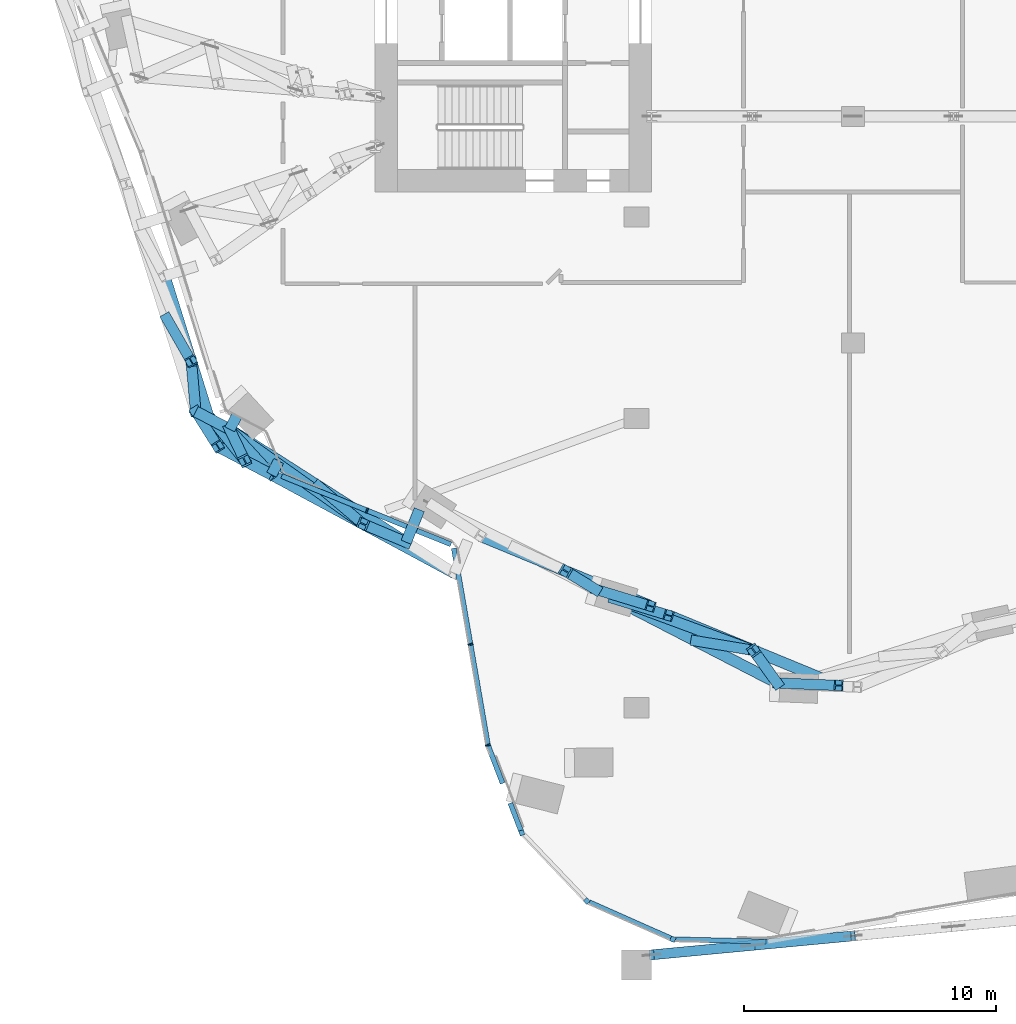
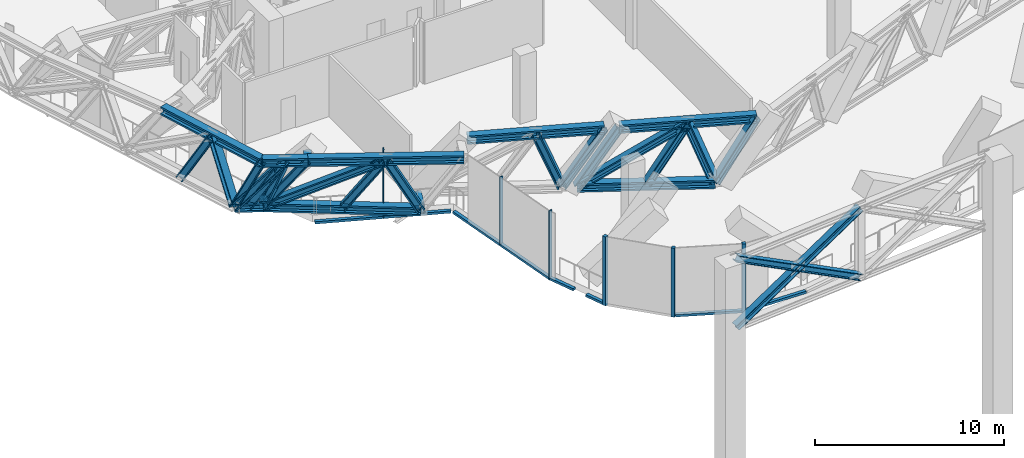
# One storey, part 2 of 31: 43 members, 6 elements without a shape of their own.
"""IFC4 building model written with IfcOpenShell, lengths in metres."""

from ifc_helpers import new_model, si_unit, direction, frame, origin, origin_2d, place, context, subcontext, project, spatial, rectangle, i_section, extrude, material, material_profile, profile_set, type_object, element, aggregate, save


model = new_model("IFC4")

# Units and contexts
model_context = context("Model", 3, precision=1e-05, world=origin(), true_north=direction((0.0, 1.0)))
body_context = subcontext(model_context, "Body", "Model", "MODEL_VIEW")
ifc_project = project(units=[si_unit("LENGTHUNIT", "METRE"), si_unit("AREAUNIT", "SQUARE_METRE"), si_unit("VOLUMEUNIT", "CUBIC_METRE"), si_unit("PLANEANGLEUNIT", "RADIAN"), si_unit("MASSUNIT", "GRAM", prefix="KILO")], contexts=[model_context])

# Site, building, storey
site_placement = place(None, origin())
site = spatial("IfcSite", under=ifc_project, at=site_placement, CompositionType="ELEMENT")
building_placement = place(site_placement, origin())
building = spatial("IfcBuilding", under=site, at=building_placement, Name="Orlundy Tower", CompositionType="ELEMENT")
storey_placement = place(building_placement, frame((0.0, 0.0, 271.0)))
storey = spatial("IfcBuildingStorey", under=building, at=storey_placement, Name="L72", CompositionType="ELEMENT", Elevation=271.0)

# Members
ifc_material_1 = material(Name="Steel ASTM A992 Gr 50", Category="steel")
ifc_material_profile_1 = material_profile(ifc_material_1, i_section(OverallWidth=0.4423828125, OverallDepth=0.531494140625, WebThickness=0.06591796875, FlangeThickness=0.105712890625, at=origin_2d()), Name="W14X605")
ifc_profile_set_1 = profile_set([ifc_material_profile_1], Name="Steel ASTM A992 Gr 50")
member_type_1 = type_object("IfcMemberType", Name="BELT TRUSS chord W14X605", PredefinedType="CHORD", material=ifc_profile_set_1)
member_1_placement = place(storey_placement, frame((-27.359619140625, -15.341796875, 3.71533203125), z_axis=(0.297975464674, -0.954573529097, 0.0), x_axis=(0.954573529097, 0.297975464674, 0.0)))
element("IfcMember", 1, at=member_1_placement, inside=storey, type_object=member_type_1, Name="Belt truss top chord BT-02A", PredefinedType="CHORD", context=body_context, shape_type="SweptSolid", body=[
    extrude(i_section(OverallWidth=0.4423828125, OverallDepth=0.531494140625, WebThickness=0.06591796875, FlangeThickness=0.105712890625, at=origin_2d()), origin(), (0.0, 0.0, 1.0), 7.10107421875),
])
member_2_placement = place(storey_placement, frame((-26.122314453125, -20.727783203125, 0.28466796875), z_axis=(0.885681073165, -0.464294127292, 0.0), x_axis=(0.464294127292, 0.885681073165, 0.0)))
element("IfcMember", 2, at=member_2_placement, inside=storey, type_object=member_type_1, Name="Belt truss bottom chord BT-02B", PredefinedType="CHORD", context=body_context, shape_type="SweptSolid", body=[
    extrude(i_section(OverallWidth=0.4423828125, OverallDepth=0.531494140625, WebThickness=0.06591796875, FlangeThickness=0.105712890625, at=origin_2d()), origin(), (0.0, 0.0, 1.0), 1.52490234375),
])
member_3_placement = place(storey_placement, frame((-25.24365234375, -22.120361328125, 3.71533203125), z_axis=(0.885690683786, -0.464275793743, 0.0), x_axis=(0.464275793743, 0.885690683786, 0.0)))
element("IfcMember", 3, at=member_3_placement, inside=storey, type_object=member_type_1, Name="Belt truss top chord BT-02B", PredefinedType="CHORD", context=body_context, shape_type="SweptSolid", body=[
    extrude(i_section(OverallWidth=0.4423828125, OverallDepth=0.531494140625, WebThickness=0.06591796875, FlangeThickness=0.105712890625, at=origin_2d()), origin(), (0.0, 0.0, 1.0), 2.409423828125),
])
member_4_placement = place(storey_placement, frame((-24.771728515625, -21.435791015625, 0.28466796875), z_axis=(0.842334241386, -0.538955495184, 0.0), x_axis=(0.538955495184, 0.842334241386, 0.0)))
element("IfcMember", 4, at=member_4_placement, inside=storey, type_object=member_type_1, Name="Belt truss bottom chord BT-03A", PredefinedType="CHORD", context=body_context, shape_type="SweptSolid", body=[
    extrude(i_section(OverallWidth=0.4423828125, OverallDepth=0.531494140625, WebThickness=0.06591796875, FlangeThickness=0.105712890625, at=origin_2d()), origin(), (0.0, 0.0, 1.0), 8.324951171875),
])
member_5_placement = place(storey_placement, frame((-23.109619140625, -23.239013671875, 3.71533203125), z_axis=(0.880386657526, -0.474256611183, 0.0), x_axis=(0.474256611183, 0.880386657526, 0.0)))
element("IfcMember", 5, at=member_5_placement, inside=storey, type_object=member_type_1, Name="Belt truss top chord BT-03A", PredefinedType="CHORD", context=body_context, shape_type="SweptSolid", body=[
    extrude(i_section(OverallWidth=0.4423828125, OverallDepth=0.531494140625, WebThickness=0.06591796875, FlangeThickness=0.105712890625, at=origin_2d()), origin(), (0.0, 0.0, 1.0), 8.263916015625),
])
member_6_placement = place(storey_placement, frame((-14.8037109375, -25.677001953125, 3.71533203125), z_axis=(0.924597156908, -0.380946318314, 0.0), x_axis=(0.380946318314, 0.924597156908, 0.0)))
element("IfcMember", 6, at=member_6_placement, inside=storey, type_object=member_type_1, Name="Belt truss top chord BT-04", PredefinedType="CHORD", context=body_context, shape_type="SweptSolid", body=[
    extrude(i_section(OverallWidth=0.4423828125, OverallDepth=0.531494140625, WebThickness=0.06591796875, FlangeThickness=0.105712890625, at=origin_2d()), origin(), (0.0, 0.0, 1.0), 7.310546875),
])
member_7_placement = place(storey_placement, frame((-9.5166015625, -28.1630859375, 0.28466796875), z_axis=(0.888589044231, -0.458704164439, 0.0), x_axis=(0.458704164439, 0.888589044231, 0.0)))
element("IfcMember", 7, at=member_7_placement, inside=storey, type_object=member_type_1, Name="Belt truss bottom chord BT-05", PredefinedType="CHORD", context=body_context, shape_type="SweptSolid", body=[
    extrude(i_section(OverallWidth=0.4423828125, OverallDepth=0.531494140625, WebThickness=0.06591796875, FlangeThickness=0.105712890625, at=origin_2d()), origin(), (0.0, 0.0, 1.0), 7.310791015625),
])
member_8_placement = place(storey_placement, frame((-7.3291015625, -28.831298828125, 3.71533203125), z_axis=(0.924604778569, -0.38092781921, 0.0), x_axis=(0.38092781921, 0.924604778569, 0.0)))
element("IfcMember", 8, at=member_8_placement, inside=storey, type_object=member_type_1, Name="Belt truss top chord BT-05", PredefinedType="CHORD", context=body_context, shape_type="SweptSolid", body=[
    extrude(i_section(OverallWidth=0.4423828125, OverallDepth=0.531494140625, WebThickness=0.06591796875, FlangeThickness=0.105712890625, at=origin_2d()), origin(), (0.0, 0.0, 1.0), 7.3115234375),
])
ifc_material_2 = material(Name="Steel ASTM A992 Gr 50", Category="steel")
ifc_material_profile_2 = material_profile(ifc_material_2, i_section(OverallWidth=0.42431640625, OverallDepth=0.47412109375, WebThickness=0.0478515625, FlangeThickness=0.0771484375, at=origin_2d()), Name="W14X426")
ifc_profile_set_2 = profile_set([ifc_material_profile_2], Name="Steel ASTM A992 Gr 50")
member_type_2 = type_object("IfcMemberType", Name="BELT TRUSS diagonal W14X426", PredefinedType="BRACE", material=ifc_profile_set_2)
member_9_placement = place(storey_placement, frame((-26.3017578125, -18.73095703125, 3.71533203125), z_axis=(0.045159641252, -0.502531572515, -0.863378610708), x_axis=(0.995986497257, 0.089503616027, 0.0)))
element("IfcMember", 9, at=member_9_placement, inside=storey, type_object=member_type_2, Name="Belt truss diagonal BT-02A-1", PredefinedType="BRACE", context=body_context, shape_type="SweptSolid", body=[
    extrude(i_section(OverallWidth=0.42431640625, OverallDepth=0.47412109375, WebThickness=0.0478515625, FlangeThickness=0.0771484375, at=origin_2d()), origin(), (0.0, 0.0, 1.0), 3.9736328125),
])
member_10_placement = place(storey_placement, frame((-26.122314453125, -20.727783203125, 0.28466796875), z_axis=(0.442164339321, -0.443551303999, 0.779585106165), x_axis=(0.708213189387, 0.705998639077, 0.0)))
element("IfcMember", 10, at=member_10_placement, inside=storey, type_object=member_type_2, Name="Belt truss diagonal BT-02B-0", PredefinedType="BRACE", context=body_context, shape_type="SweptSolid", body=[
    extrude(i_section(OverallWidth=0.42431640625, OverallDepth=0.47412109375, WebThickness=0.0478515625, FlangeThickness=0.0771484375, at=origin_2d()), origin(), (0.0, 0.0, 1.0), 4.400634765625),
])
member_11_placement = place(storey_placement, frame((-24.176513671875, -22.6796875, 3.71533203125), z_axis=(-0.160980537109, 0.336421590063, -0.927850085095), x_axis=(-0.902047314811, -0.431637164575, 0.0)))
element("IfcMember", 11, at=member_11_placement, inside=storey, type_object=member_type_2, Name="Belt truss diagonal BT-02B-1", PredefinedType="BRACE", context=body_context, shape_type="SweptSolid", body=[
    extrude(i_section(OverallWidth=0.42431640625, OverallDepth=0.47412109375, WebThickness=0.0478515625, FlangeThickness=0.0771484375, at=origin_2d()), origin(), (0.0, 0.0, 1.0), 3.697509765625),
])
member_12_placement = place(storey_placement, frame((-24.771728515625, -21.435791015625, 0.28466796875), z_axis=(0.721097909944, -0.511990145843, 0.466780349665), x_axis=(0.578929910254, 0.815377310828, 0.0)))
element("IfcMember", 12, at=member_12_placement, inside=storey, type_object=member_type_2, Name="Belt truss diagonal BT-03A-0", PredefinedType="BRACE", context=body_context, shape_type="SweptSolid", body=[
    extrude(i_section(OverallWidth=0.42431640625, OverallDepth=0.47412109375, WebThickness=0.0478515625, FlangeThickness=0.0771484375, at=origin_2d()), origin(), (0.0, 0.0, 1.0), 7.349609375),
])
member_13_placement = place(storey_placement, frame((-19.471923828125, -25.19873046875, 3.71533203125), z_axis=(0.438900515101, -0.185508200609, -0.879177482281), x_axis=(0.389318706976, 0.921103112794, 0.0)))
element("IfcMember", 13, at=member_13_placement, inside=storey, type_object=member_type_2, Name="Belt truss diagonal BT-03A-1", PredefinedType="BRACE", context=body_context, shape_type="SweptSolid", body=[
    extrude(i_section(OverallWidth=0.42431640625, OverallDepth=0.47412109375, WebThickness=0.0478515625, FlangeThickness=0.0771484375, at=origin_2d()), origin(), (0.0, 0.0, 1.0), 3.902099609375),
])
member_14_placement = place(storey_placement, frame((-11.424072265625, -27.069580078125, 3.71533203125), z_axis=(0.321842584933, -0.195597490679, -0.926368702064), x_axis=(0.519352640591, 0.854560024054, 0.0)))
element("IfcMember", 14, at=member_14_placement, inside=storey, type_object=member_type_2, Name="Belt truss diagonal BT-04-1", PredefinedType="BRACE", context=body_context, shape_type="SweptSolid", body=[
    extrude(i_section(OverallWidth=0.42431640625, OverallDepth=0.47412109375, WebThickness=0.0478515625, FlangeThickness=0.0771484375, at=origin_2d()), origin(), (0.0, 0.0, 1.0), 3.703369140625),
])
member_15_placement = place(storey_placement, frame((-9.5166015625, -28.1630859375, 0.28466796875), z_axis=(0.811994148378, -0.300549993706, 0.500335091997), x_axis=(0.347122819582, 0.93781967783, 0.0)))
element("IfcMember", 15, at=member_15_placement, inside=storey, type_object=member_type_2, Name="Belt truss diagonal BT-05-0", PredefinedType="BRACE", context=body_context, shape_type="SweptSolid", body=[
    extrude(i_section(OverallWidth=0.42431640625, OverallDepth=0.47412109375, WebThickness=0.0478515625, FlangeThickness=0.0771484375, at=origin_2d()), origin(), (0.0, 0.0, 1.0), 6.856689453125),
])
member_16_placement = place(storey_placement, frame((-3.948974609375, -30.223876953125, 3.71533203125), z_axis=(0.245564464729, -0.341814889785, -0.907116682012), x_axis=(0.812144830187, 0.583455889336, 0.0)))
element("IfcMember", 16, at=member_16_placement, inside=storey, type_object=member_type_2, Name="Belt truss diagonal BT-05-1", PredefinedType="BRACE", context=body_context, shape_type="SweptSolid", body=[
    extrude(i_section(OverallWidth=0.42431640625, OverallDepth=0.47412109375, WebThickness=0.0478515625, FlangeThickness=0.0771484375, at=origin_2d()), origin(), (0.0, 0.0, 1.0), 3.781982421875),
])
ifc_material_3 = material(Name="Steel ASTM A992 Gr 50", Category="steel")
ifc_material_profile_3 = material_profile(ifc_material_3, i_section(OverallWidth=0.412109375, OverallDepth=0.434814453125, WebThickness=0.035888671875, FlangeThickness=0.057373046875, at=origin_2d()), Name="W14X311")
ifc_profile_set_3 = profile_set([ifc_material_profile_3], Name="Steel ASTM A992 Gr 50")
member_type_3 = type_object("IfcMemberType", Name="BELT TRUSS post W14X311", PredefinedType="POST", material=ifc_profile_set_3)
member_17_placement = place(storey_placement, frame((-27.2783203125, -17.025146484375, 0.28466796875), z_axis=(0.246990354097, -0.431430401019, 0.867677113943), x_axis=(0.867845396029, 0.496834347233, 0.0)))
element("IfcMember", 17, at=member_17_placement, inside=storey, type_object=member_type_3, Name="Belt truss post BT-02A-1", PredefinedType="POST", context=body_context, shape_type="SweptSolid", body=[
    extrude(i_section(OverallWidth=0.412109375, OverallDepth=0.434814453125, WebThickness=0.035888671875, FlangeThickness=0.057373046875, at=origin_2d()), origin(), (0.0, 0.0, 1.0), 3.953857421875),
])
member_18_placement = place(storey_placement, frame((-26.122314453125, -20.727783203125, 0.28466796875), z_axis=(0.230901082096, -0.365951589962, 0.901534316646), x_axis=(0.845724875994, 0.533619184555, 0.0)))
element("IfcMember", 18, at=member_18_placement, inside=storey, type_object=member_type_3, Name="Belt truss post BT-02A-2", PredefinedType="POST", context=body_context, shape_type="SweptSolid", body=[
    extrude(i_section(OverallWidth=0.412109375, OverallDepth=0.434814453125, WebThickness=0.035888671875, FlangeThickness=0.057373046875, at=origin_2d()), origin(), (0.0, 0.0, 1.0), 3.805419921875),
])
member_19_placement = place(storey_placement, frame((-25.447021484375, -21.081787109375, 0.28466796875), z_axis=(0.318254816205, -0.40026475251, 0.85936139072), x_axis=(0.782732130654, 0.622358748346, 0.0)))
element("IfcMember", 19, at=member_19_placement, inside=storey, type_object=member_type_3, Name="Belt truss post BT-02B-1", PredefinedType="POST", context=body_context, shape_type="SweptSolid", body=[
    extrude(i_section(OverallWidth=0.412109375, OverallDepth=0.434814453125, WebThickness=0.035888671875, FlangeThickness=0.057373046875, at=origin_2d()), origin(), (0.0, 0.0, 1.0), 3.9921875),
])
member_20_placement = place(storey_placement, frame((-24.771728515625, -21.435791015625, 0.28466796875), z_axis=(0.394138479967, -0.427600883231, 0.81351849596), x_axis=(0.73529179084, 0.677750678586, 0.0)))
element("IfcMember", 20, at=member_20_placement, inside=storey, type_object=member_type_3, Name="Belt truss post BT-02B-2", PredefinedType="POST", context=body_context, shape_type="SweptSolid", body=[
    extrude(i_section(OverallWidth=0.412109375, OverallDepth=0.434814453125, WebThickness=0.035888671875, FlangeThickness=0.057373046875, at=origin_2d()), origin(), (0.0, 0.0, 1.0), 4.217041015625),
])
member_21_placement = place(storey_placement, frame((-21.265380859375, -23.67919921875, 0.28466796875), z_axis=(0.431252580404, -0.365384707383, 0.824933468533), x_axis=(0.646435628939, 0.762968529914, 0.0)))
element("IfcMember", 21, at=member_21_placement, inside=storey, type_object=member_type_3, Name="Belt truss post BT-03A-1", PredefinedType="POST", context=body_context, shape_type="SweptSolid", body=[
    extrude(i_section(OverallWidth=0.412109375, OverallDepth=0.434814453125, WebThickness=0.035888671875, FlangeThickness=0.057373046875, at=origin_2d()), origin(), (0.0, 0.0, 1.0), 4.15869140625),
])
for number, where, z_axis, x_axis, name in (
    (22, (-10.232177734375, -27.7939453125, 0.28466796875), (0.530576827341, -0.161997344002, 0.832012674678), (0.29201516071, 0.956413689737, 0.0), "Belt truss post BT-04-2"),
    (23, (-9.5166015625, -28.1630859375, 0.28466796875), (0.530529194017, -0.162060089735, 0.832030829724), (0.292142605136, 0.956374768731, 0.0), "Belt truss post BT-05-0"),
):
    element("IfcMember", number, at=place(storey_placement, frame(where, z_axis=z_axis, x_axis=x_axis)), inside=storey, type_object=member_type_3, Name=name, PredefinedType="POST", context=body_context, shape_type="SweptSolid", body=[
        extrude(i_section(OverallWidth=0.412109375, OverallDepth=0.434814453125, WebThickness=0.035888671875, FlangeThickness=0.057373046875, at=origin_2d()), origin(), (0.0, 0.0, 1.0), 4.123291015625),
    ])
member_22_placement = place(storey_placement, frame((-6.2685546875, -29.83984375, 0.28466796875), z_axis=(0.557723689992, -0.092337581766, 0.824874570232), x_axis=(0.163338055049, 0.98657015958, 0.0)))
element("IfcMember", 24, at=member_22_placement, inside=storey, type_object=member_type_3, Name="Belt truss post BT-05-1", PredefinedType="POST", context=body_context, shape_type="SweptSolid", body=[
    extrude(i_section(OverallWidth=0.412109375, OverallDepth=0.434814453125, WebThickness=0.035888671875, FlangeThickness=0.057373046875, at=origin_2d()), origin(), (0.0, 0.0, 1.0), 4.158935546875),
])
member_23_placement = place(storey_placement, frame((-3.020263671875, -31.5166015625, 0.28466796875), z_axis=(0.581223109607, -0.023674957856, 0.813399774544), x_axis=(0.040699245092, 0.999171442471, 0.0)))
element("IfcMember", 25, at=member_23_placement, inside=storey, type_object=member_type_3, Name="Belt truss post BT-05-2", PredefinedType="POST", context=body_context, shape_type="SweptSolid", body=[
    extrude(i_section(OverallWidth=0.412109375, OverallDepth=0.434814453125, WebThickness=0.035888671875, FlangeThickness=0.057373046875, at=origin_2d()), origin(), (0.0, 0.0, 1.0), 4.2177734375),
])
ifc_material_4 = material(Name="Steel ASTM A992 Gr 50", Category="steel")
ifc_material_profile_4 = material_profile(ifc_material_4, i_section(OverallWidth=0.43212890625, OverallDepth=0.497802734375, WebThickness=0.0556640625, FlangeThickness=0.0888671875, at=origin_2d()), Name="W14X500")
ifc_profile_set_4 = profile_set([ifc_material_profile_4], Name="Steel ASTM A992 Gr 50")
member_type_4 = type_object("IfcMemberType", Name="BELT TRUSS strut W14X500", PredefinedType="STRUT", material=ifc_profile_set_4)
member_24_placement = place(storey_placement, frame((-24.48583984375, -20.89013671875, 0.28466796875), z_axis=(-0.46409584798, -0.885784987391, 0.0), x_axis=(0.885784987391, -0.46409584798, 0.0)))
element("IfcMember", 26, at=member_24_placement, inside=storey, type_object=member_type_4, Name="Belt truss bracket C-H16", PredefinedType="STRUT", context=body_context, shape_type="SweptSolid", body=[
    extrude(i_section(OverallWidth=0.43212890625, OverallDepth=0.497802734375, WebThickness=0.0556640625, FlangeThickness=0.0888671875, at=origin_2d()), origin(), (0.0, 0.0, 1.0), 0.615966796875),
])
member_25_placement = place(storey_placement, frame((-22.82373046875, -22.693603515625, 3.71533203125), z_axis=(-0.464258821983, -0.885699580112, 0.0), x_axis=(0.885699580112, -0.464258821983, 0.0)))
element("IfcMember", 27, at=member_25_placement, inside=storey, type_object=member_type_4, Name="Belt truss bracket C-H16", PredefinedType="STRUT", context=body_context, shape_type="SweptSolid", body=[
    extrude(i_section(OverallWidth=0.43212890625, OverallDepth=0.497802734375, WebThickness=0.0556640625, FlangeThickness=0.0888671875, at=origin_2d()), origin(), (0.0, 0.0, 1.0), 0.61572265625),
])
member_26_placement = place(storey_placement, frame((-17.237060546875, -24.6298828125, 0.28466796875), z_axis=(-0.374558592096, -0.927203246914, 0.0), x_axis=(0.927203246914, -0.374558592096, 0.0)))
element("IfcMember", 28, at=member_26_placement, inside=storey, type_object=member_type_4, Name="Belt truss bracket C-H15", PredefinedType="STRUT", context=body_context, shape_type="SweptSolid", body=[
    extrude(i_section(OverallWidth=0.43212890625, OverallDepth=0.497802734375, WebThickness=0.0556640625, FlangeThickness=0.0888671875, at=origin_2d()), origin(), (0.0, 0.0, 1.0), 1.394287109375),
])

# Curtain wall, member
ifc_material_5 = material(Name="Aluminium bronze anodised", Category="aluminium")
curtain_wall_type = type_object("IfcCurtainWallType", Name="CW4 wall", PredefinedType="NOTDEFINED", material=ifc_material_5)
curtain_wall_1_placement = place(storey_placement, origin())
curtain_wall_1 = element("IfcCurtainWall", 29, at=curtain_wall_1_placement, inside=storey, type_object=curtain_wall_type, Name="CW4 run 042", PredefinedType="NOTDEFINED")
ifc_material_6 = material(Name="Aluminium bronze anodised", Category="aluminium")
ifc_material_profile_5 = material_profile(ifc_material_6, rectangle(XDim=0.199951171875, YDim=0.199951171875, at=origin_2d()), Name="CW4 corner post 200x200")
ifc_profile_set_5 = profile_set([ifc_material_profile_5], Name="Aluminium bronze anodised")
member_type_5 = type_object("IfcMemberType", Name="CW4 corner post 200x200", PredefinedType="MULLION", material=ifc_profile_set_5)
member_27_placement = place(storey_placement, frame((-7.157470703125, -41.70654296875, -0.449951171875), z_axis=(0.0, 0.0, 1.0), x_axis=(-0.405512541213, -0.914089480805, 0.0)))
member_27 = element("IfcMember", 30, at=member_27_placement, type_object=member_type_5, Name="CW4 mullion 58", PredefinedType="MULLION", context=body_context, shape_type="SweptSolid", body=[
    extrude(rectangle(XDim=0.199951171875, YDim=0.199951171875, at=origin_2d()), origin(), (0.0, 0.0, 1.0), 4.449951171875),
])

curtain_wall_2_placement = place(storey_placement, origin())
curtain_wall_2 = element("IfcCurtainWall", 31, at=curtain_wall_2_placement, inside=storey, type_object=curtain_wall_type, Name="CW4 run 043", PredefinedType="NOTDEFINED")
member_28_placement = place(storey_placement, frame((-10.581787109375, -40.187255859375, -0.449951171875), z_axis=(0.0, 0.0, 1.0), x_axis=(-0.724291875351, -0.689493494749, 0.0)))
member_28 = element("IfcMember", 32, at=member_28_placement, type_object=member_type_5, Name="CW4 mullion 59", PredefinedType="MULLION", context=body_context, shape_type="SweptSolid", body=[
    extrude(rectangle(XDim=0.199951171875, YDim=0.199951171875, at=origin_2d()), origin(), (0.0, 0.0, 1.0), 4.449951171875),
])
aggregate(curtain_wall_2, [member_28])

curtain_wall_3_placement = place(storey_placement, origin())
curtain_wall_3 = element("IfcCurtainWall", 33, at=curtain_wall_3_placement, inside=storey, type_object=curtain_wall_type, Name="CW4 run 044", PredefinedType="NOTDEFINED")
member_29_placement = place(storey_placement, frame((-13.1650390625, -37.4736328125, -0.449951171875), z_axis=(0.0, 0.0, 1.0), x_axis=(-0.933109013885, -0.359593615358, 0.0)))
member_29 = element("IfcMember", 34, at=member_29_placement, type_object=member_type_5, Name="CW4 mullion 60", PredefinedType="MULLION", context=body_context, shape_type="SweptSolid", body=[
    extrude(rectangle(XDim=0.199951171875, YDim=0.199951171875, at=origin_2d()), origin(), (0.0, 0.0, 1.0), 4.449951171875),
])

curtain_wall_4_placement = place(storey_placement, origin())
curtain_wall_4 = element("IfcCurtainWall", 35, at=curtain_wall_4_placement, inside=storey, type_object=curtain_wall_type, Name="CW4 run 00", PredefinedType="NOTDEFINED")
ifc_material_7 = material(Name="Aluminium bronze anodised", Category="aluminium")
ifc_material_profile_6 = material_profile(ifc_material_7, rectangle(XDim=0.199951171875, YDim=0.06005859375, at=origin_2d()), Name="CW4 mullion 60x200")
ifc_profile_set_6 = profile_set([ifc_material_profile_6], Name="Aluminium bronze anodised")
member_type_6 = type_object("IfcMemberType", Name="CW4 mullion 60x200", PredefinedType="MULLION", material=ifc_profile_set_6)
member_30_placement = place(storey_placement, frame((-19.3154296875, -24.66015625, -0.449951171875), z_axis=(0.0, 0.0, 1.0), x_axis=(-0.374533494084, -0.927213385262, 0.0)))
member_30 = element("IfcMember", 36, at=member_30_placement, type_object=member_type_6, Name="CW4 mullion 2", PredefinedType="MULLION", context=body_context, shape_type="SweptSolid", body=[
    extrude(rectangle(XDim=0.199951171875, YDim=0.06005859375, at=origin_2d()), origin(), (0.0, 0.0, 1.0), 4.449951171875),
])

# Curtain wall, members
curtain_wall_5_placement = place(storey_placement, origin())
curtain_wall_5 = element("IfcCurtainWall", 37, at=curtain_wall_5_placement, inside=storey, type_object=curtain_wall_type, Name="CW4 run 045", PredefinedType="NOTDEFINED")
member_31_placement = place(storey_placement, frame((-14.5087890625, -33.98681640625, -0.449951171875), z_axis=(0.0, 0.0, 1.0), x_axis=(-0.963846711506, -0.266457345026, 0.0)))
member_31 = element("IfcMember", 38, at=member_31_placement, type_object=member_type_6, Name="CW4 mullion 61", PredefinedType="MULLION", context=body_context, shape_type="SweptSolid", body=[
    extrude(rectangle(XDim=0.199951171875, YDim=0.06005859375, at=origin_2d()), origin(), (0.0, 0.0, 1.0), 4.449951171875),
])
member_32_placement = place(storey_placement, frame((-15.20263671875, -29.984130859375, -0.449951171875), z_axis=(0.0, 0.0, 1.0), x_axis=(-0.985313002882, -0.170757975952, 0.0)))
member_32 = element("IfcMember", 39, at=member_32_placement, type_object=member_type_6, Name="CW4 mullion 62", PredefinedType="MULLION", context=body_context, shape_type="SweptSolid", body=[
    extrude(rectangle(XDim=0.199951171875, YDim=0.06005859375, at=origin_2d()), origin(), (0.0, 0.0, 1.0), 4.449951171875),
])

# Member
ifc_material_8 = material(Name="Aluminium bronze anodised", Category="aluminium")
ifc_material_profile_7 = material_profile(ifc_material_8, rectangle(XDim=0.199951171875, YDim=0.14990234375, at=origin_2d()), Name="CW4 transom 200x150")
ifc_profile_set_7 = profile_set([ifc_material_profile_7], Name="Aluminium bronze anodised")
member_type_7 = type_object("IfcMemberType", Name="CW4 transom 200x150", PredefinedType="USERDEFINED", material=ifc_profile_set_7)
member_33_placement = place(storey_placement, frame((-15.977783203125, -26.008544921875, -0.375), z_axis=(-0.927213522866, 0.374533153426, 0.0), x_axis=(-0.374533153426, -0.927213522866, 0.0)))
member_33 = element("IfcMember", 40, at=member_33_placement, type_object=member_type_7, Name="CW4 transom", ObjectType="TRANSOM", PredefinedType="USERDEFINED", context=body_context, shape_type="SweptSolid", body=[
    extrude(rectangle(XDim=0.199951171875, YDim=0.14990234375, at=origin_2d()), origin(), (0.0, 0.0, 1.0), 7.255126953125),
])

aggregate(curtain_wall_4, [member_30, member_33])

# Curtain wall, member
curtain_wall_6_placement = place(storey_placement, origin())
curtain_wall_6 = element("IfcCurtainWall", 41, at=curtain_wall_6_placement, inside=storey, type_object=curtain_wall_type, Name="CW4 run 041", PredefinedType="NOTDEFINED")
member_34_placement = place(storey_placement, frame((-3.45166015625, -41.79736328125, -0.375), z_axis=(-0.999700022504, 0.024492141712, 0.0), x_axis=(-0.024492141712, -0.999700022504, 0.0)))
member_34 = element("IfcMember", 42, at=member_34_placement, type_object=member_type_7, Name="CW4 transom", ObjectType="TRANSOM", PredefinedType="USERDEFINED", context=body_context, shape_type="SweptSolid", body=[
    extrude(rectangle(XDim=0.199951171875, YDim=0.14990234375, at=origin_2d()), origin(), (0.0, 0.0, 1.0), 3.598388671875),
])
aggregate(curtain_wall_6, [member_34])

# Member
member_35_placement = place(storey_placement, frame((-7.248779296875, -41.666015625, -0.375), z_axis=(-0.914081666921, 0.405530154487, 0.0), x_axis=(-0.405530154487, -0.914081666921, 0.0)))
member_35 = element("IfcMember", 43, at=member_35_placement, type_object=member_type_7, Name="CW4 transom", ObjectType="TRANSOM", PredefinedType="USERDEFINED", context=body_context, shape_type="SweptSolid", body=[
    extrude(rectangle(XDim=0.199951171875, YDim=0.14990234375, at=origin_2d()), origin(), (0.0, 0.0, 1.0), 3.5380859375),
])

aggregate(curtain_wall_1, [member_27, member_35])

member_36_placement = place(storey_placement, frame((-13.201171875, -37.380126953125, -0.375), z_axis=(-0.359582802243, 0.933113180879, 0.0), x_axis=(-0.933113180879, -0.359582802243, 0.0)))
member_36 = element("IfcMember", 44, at=member_36_placement, type_object=member_type_7, Name="CW4 transom", ObjectType="TRANSOM", PredefinedType="USERDEFINED", context=body_context, shape_type="SweptSolid", body=[
    extrude(rectangle(XDim=0.199951171875, YDim=0.14990234375, at=origin_2d()), origin(), (0.0, 0.0, 1.0), 1.1650390625),
])

member_37_placement = place(storey_placement, frame((-13.924072265625, -35.50439453125, -0.375), z_axis=(-0.359573441807, 0.933116787946, 0.0), x_axis=(-0.933116787946, -0.359573441807, 0.0)))
member_37 = element("IfcMember", 45, at=member_37_placement, type_object=member_type_7, Name="CW4 transom", ObjectType="TRANSOM", PredefinedType="USERDEFINED", context=body_context, shape_type="SweptSolid", body=[
    extrude(rectangle(XDim=0.199951171875, YDim=0.14990234375, at=origin_2d()), origin(), (0.0, 0.0, 1.0), 1.59619140625),
])

aggregate(curtain_wall_3, [member_29, member_36, member_37])

member_38_placement = place(storey_placement, frame((-14.513916015625, -33.95703125, -0.375), z_axis=(-0.17077593818, 0.9853098898, 0.0), x_axis=(-0.9853098898, -0.17077593818, 0.0)))
member_38 = element("IfcMember", 46, at=member_38_placement, type_object=member_type_7, Name="CW4 transom", ObjectType="TRANSOM", PredefinedType="USERDEFINED", context=body_context, shape_type="SweptSolid", body=[
    extrude(rectangle(XDim=0.199951171875, YDim=0.14990234375, at=origin_2d()), origin(), (0.0, 0.0, 1.0), 7.911376953125),
])

aggregate(curtain_wall_5, [member_31, member_32, member_38])

# Members
ifc_material_9 = material(Name="Steel ASTM A992 Gr 50", Category="steel")
ifc_material_profile_8 = material_profile(ifc_material_9, i_section(OverallWidth=0.39892578125, OverallDepth=0.393310546875, WebThickness=0.022705078125, FlangeThickness=0.03662109375, at=origin_2d()), Name="W14X193")
ifc_profile_set_8 = profile_set([ifc_material_profile_8], Name="Steel ASTM A992 Gr 50")
member_type_8 = type_object("IfcMemberType", Name="PORTAL TRUSS diagonal W14X193", PredefinedType="BRACE", material=ifc_profile_set_8)
member_39_placement = place(storey_placement, frame((-8.0, -42.322998046875, -0.734619140625), z_axis=(0.870960816715, 0.081971531944, 0.484466638375), x_axis=(-0.093702125683, 0.99560027704, 0.0)))
element("IfcMember", 47, at=member_39_placement, inside=storey, type_object=member_type_8, Name="Portal truss diagonal PF-S-0", PredefinedType="BRACE", context=body_context, shape_type="SweptSolid", body=[
    extrude(i_section(OverallWidth=0.39892578125, OverallDepth=0.393310546875, WebThickness=0.022705078125, FlangeThickness=0.03662109375, at=origin_2d()), origin(), (0.0, 0.0, 1.0), 9.185302734375),
])
member_40_placement = place(storey_placement, frame((-8.0, -42.322998046875, 3.71533203125), z_axis=(0.870949601317, 0.081970476393, -0.48448697915), x_axis=(-0.093702125683, 0.99560027704, 0.0)))
element("IfcMember", 48, at=member_40_placement, inside=storey, type_object=member_type_8, Name="Portal truss diagonal PF-S-0b1", PredefinedType="BRACE", context=body_context, shape_type="SweptSolid", body=[
    extrude(i_section(OverallWidth=0.39892578125, OverallDepth=0.393310546875, WebThickness=0.022705078125, FlangeThickness=0.03662109375, at=origin_2d()), origin(), (0.0, 0.0, 1.0), 4.5927734375),
])
member_41_placement = place(storey_placement, frame((-4.0, -41.946533203125, 1.490234375), z_axis=(0.870972031931, 0.081972587478, -0.484446296813), x_axis=(-0.093702125683, 0.99560027704, 0.0)))
element("IfcMember", 49, at=member_41_placement, inside=storey, type_object=member_type_8, Name="Portal truss diagonal PF-S-0b2", PredefinedType="BRACE", context=body_context, shape_type="SweptSolid", body=[
    extrude(i_section(OverallWidth=0.39892578125, OverallDepth=0.393310546875, WebThickness=0.022705078125, FlangeThickness=0.03662109375, at=origin_2d()), origin(), (0.0, 0.0, 1.0), 4.592529296875),
])

save(model, "model.ifc")
